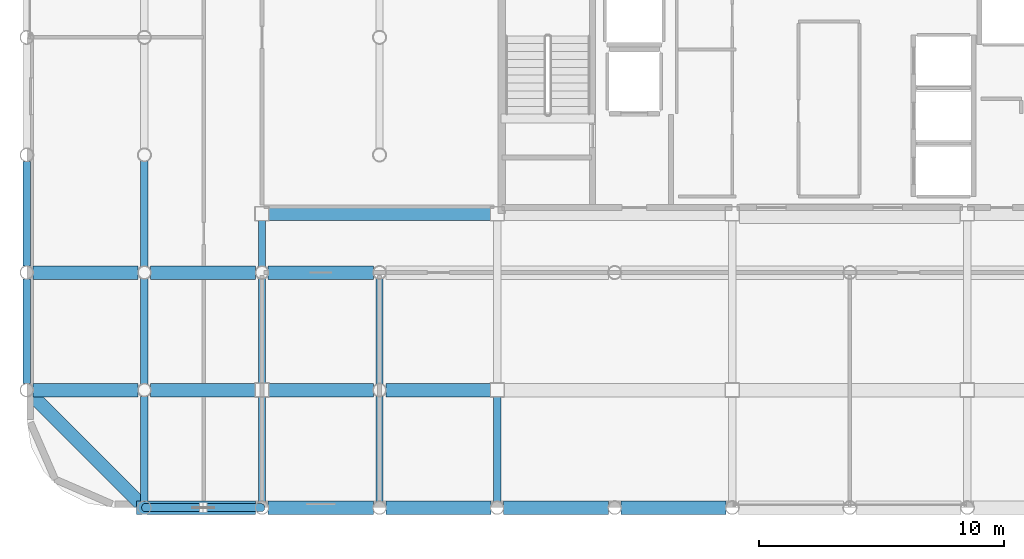
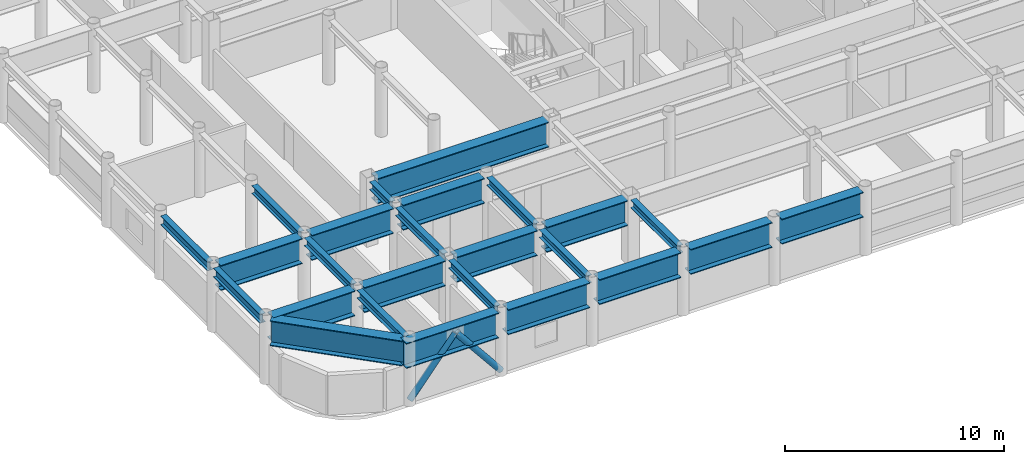
# One storey, part 3 of 21: 25 beams, 2 members.
"""IFC4 building model written with IfcOpenShell, lengths in metres."""

from ifc_helpers import new_model, si_unit, direction, frame, origin, origin_2d, place, context, subcontext, project, spatial, hollow_circle, i_section, extrude, material, material_profile, profile_set, type_object, element, save


model = new_model("IFC4")

# Units and contexts
model_context = context("Model", 3, precision=1e-05, world=origin(), true_north=direction((0.0, 1.0)))
body_context = subcontext(model_context, "Body", "Model", "MODEL_VIEW")
ifc_project = project(units=[si_unit("LENGTHUNIT", "METRE"), si_unit("AREAUNIT", "SQUARE_METRE"), si_unit("VOLUMEUNIT", "CUBIC_METRE"), si_unit("PLANEANGLEUNIT", "RADIAN"), si_unit("MASSUNIT", "GRAM", prefix="KILO")], contexts=[model_context])

# Site, building, storey
site_placement = place(None, origin())
site = spatial("IfcSite", under=ifc_project, at=site_placement, CompositionType="ELEMENT")
building_placement = place(site_placement, origin())
building = spatial("IfcBuilding", under=site, at=building_placement, Name="Kallvorn Hotel Tower", CompositionType="ELEMENT")
storey_placement = place(building_placement, frame((0.0, 0.0, 272.35009765625)))
storey = spatial("IfcBuildingStorey", under=building, at=storey_placement, Name="L68", CompositionType="ELEMENT", Elevation=272.35009765625)

# Beams
ifc_material_1 = material(Name="Structural steel S355JR", Category="steel")
ifc_material_profile_1 = material_profile(ifc_material_1, i_section(OverallWidth=0.300048828125, OverallDepth=0.43994140625, WebThickness=0.011474609375, FlangeThickness=0.02099609375, at=origin_2d()), Name="HE 450 A")
ifc_profile_set_1 = profile_set([ifc_material_profile_1], Name="Structural steel S355JR")
beam_type_1 = type_object("IfcBeamType", Name="BM_HE450A", PredefinedType="BEAM", material=ifc_profile_set_1)
for number, where, z_axis, x_axis, name in (
    (1, (-28.800048828125, -18.945556640625, 3.3798828125), (0.0, 1.0, 0.0), (-1.0, 0.0, 0.0), "L69 Primary Y-Girder 73"),
    (2, (-28.800048828125, -14.1455078125, 3.3798828125), (0.0, 1.0, 0.0), (-1.0, 0.0, 0.0), "L69 Primary Y-Girder 74"),
    (3, (-28.800048828125, -9.345458984375, 3.3798828125), (0.0, 1.0, 0.0), (-1.0, 0.0, 0.0), "L69 Primary Y-Girder 75"),
):
    element("IfcBeam", number, at=place(storey_placement, frame(where, z_axis=z_axis, x_axis=x_axis)), inside=storey, type_object=beam_type_1, Name=name, PredefinedType="BEAM", context=body_context, shape_type="SweptSolid", body=[
        extrude(i_section(OverallWidth=0.300048828125, OverallDepth=0.43994140625, WebThickness=0.011474609375, FlangeThickness=0.02099609375, at=origin_2d()), origin(), (0.0, 0.0, 1.0), 4.291015625),
    ])
for number, where, z_axis, x_axis, name in (
    (4, (-24.0, -18.945556640625, 3.3798828125), (0.0, 1.0, 0.0), (-1.0, 0.0, 0.0), "L69 Primary Y-Girder 82"),
    (5, (-24.0, -14.125, 3.3798828125), (0.0, 1.0, 0.0), (-1.0, 0.0, 0.0), "L69 Primary Y-Girder 83"),
):
    element("IfcBeam", number, at=place(storey_placement, frame(where, z_axis=z_axis, x_axis=x_axis)), inside=storey, type_object=beam_type_1, Name=name, PredefinedType="BEAM", context=body_context, shape_type="SweptSolid", body=[
        extrude(i_section(OverallWidth=0.300048828125, OverallDepth=0.43994140625, WebThickness=0.011474609375, FlangeThickness=0.02099609375, at=origin_2d()), origin(), (0.0, 0.0, 1.0), 4.2705078125),
    ])
beam_1_placement = place(storey_placement, frame((-24.0, -9.345458984375, 3.3798828125), z_axis=(0.0, 1.0, 0.0), x_axis=(-1.0, 0.0, 0.0)))
element("IfcBeam", 6, at=beam_1_placement, inside=storey, type_object=beam_type_1, Name="L69 Primary Y-Girder 84", PredefinedType="BEAM", context=body_context, shape_type="SweptSolid", body=[
    extrude(i_section(OverallWidth=0.300048828125, OverallDepth=0.43994140625, WebThickness=0.011474609375, FlangeThickness=0.02099609375, at=origin_2d()), origin(), (0.0, 0.0, 1.0), 1.870361328125),
])
for number, where, z_axis, x_axis, name in (
    (7, (-19.199951171875, -18.945556640625, 3.3798828125), (0.0, 1.0, 0.0), (-1.0, 0.0, 0.0), "L69 Primary Y-Girder 89"),
    (8, (-19.199951171875, -14.1455078125, 3.3798828125), (0.0, 1.0, 0.0), (-1.0, 0.0, 0.0), "L69 Primary Y-Girder 90"),
):
    element("IfcBeam", number, at=place(storey_placement, frame(where, z_axis=z_axis, x_axis=x_axis)), inside=storey, type_object=beam_type_1, Name=name, PredefinedType="BEAM", context=body_context, shape_type="SweptSolid", body=[
        extrude(i_section(OverallWidth=0.300048828125, OverallDepth=0.43994140625, WebThickness=0.011474609375, FlangeThickness=0.02099609375, at=origin_2d()), origin(), (0.0, 0.0, 1.0), 4.291015625),
    ])
beam_2_placement = place(storey_placement, frame((-14.39990234375, -18.945556640625, 3.3798828125), z_axis=(0.0, 1.0, 0.0), x_axis=(-1.0, 0.0, 0.0)))
element("IfcBeam", 9, at=beam_2_placement, inside=storey, type_object=beam_type_1, Name="L69 Primary Y-Girder 98", PredefinedType="BEAM", context=body_context, shape_type="SweptSolid", body=[
    extrude(i_section(OverallWidth=0.300048828125, OverallDepth=0.43994140625, WebThickness=0.011474609375, FlangeThickness=0.02099609375, at=origin_2d()), origin(), (0.0, 0.0, 1.0), 4.2705078125),
])
ifc_material_2 = material(Name="Structural steel S355JR", Category="steel")
ifc_material_profile_2 = material_profile(ifc_material_2, i_section(OverallWidth=0.300048828125, OverallDepth=0.5, WebThickness=0.014404296875, FlangeThickness=0.028076171875, at=origin_2d()), Name="HE 500 B")
ifc_profile_set_2 = profile_set([ifc_material_profile_2], Name="Structural steel S355JR")
beam_type_2 = type_object("IfcBeamType", Name="BM_HE500B", PredefinedType="SPANDREL", material=ifc_profile_set_2)
beam_3_placement = place(storey_placement, frame((-33.60009765625, -14.130615234375, 3.349853515625), z_axis=(0.0, 1.0, 0.0), x_axis=(-1.0, 0.0, 0.0)))
element("IfcBeam", 10, at=beam_3_placement, inside=storey, type_object=beam_type_2, Name="L69 Perimeter Spandrel 174", PredefinedType="SPANDREL", context=body_context, shape_type="SweptSolid", body=[
    extrude(i_section(OverallWidth=0.300048828125, OverallDepth=0.5, WebThickness=0.014404296875, FlangeThickness=0.028076171875, at=origin_2d()), origin(), (0.0, 0.0, 1.0), 4.26123046875),
])
beam_4_placement = place(storey_placement, frame((-33.60009765625, -9.33056640625, 3.349853515625), z_axis=(0.0, 1.0, 0.0), x_axis=(-1.0, 0.0, 0.0)))
element("IfcBeam", 11, at=beam_4_placement, inside=storey, type_object=beam_type_2, Name="L69 Perimeter Spandrel 175", PredefinedType="SPANDREL", context=body_context, shape_type="SweptSolid", body=[
    extrude(i_section(OverallWidth=0.300048828125, OverallDepth=0.5, WebThickness=0.014404296875, FlangeThickness=0.028076171875, at=origin_2d()), origin(), (0.0, 0.0, 1.0), 4.260986328125),
])
ifc_material_3 = material(Name="Structural steel S355JR", Category="steel")
ifc_material_profile_3 = material_profile(ifc_material_3, i_section(OverallWidth=0.550048828125, OverallDepth=1.39990234375, WebThickness=0.02490234375, FlangeThickness=0.044921875, at=origin_2d()), Name="PG 1400x550x25x45")
ifc_profile_set_3 = profile_set([ifc_material_profile_3], Name="Structural steel S355JR")
beam_type_3 = type_object("IfcBeamType", Name="BM_PG_1400", PredefinedType="BEAM", material=ifc_profile_set_3)
beam_5_placement = place(storey_placement, frame((-29.1201171875, -19.199951171875, 2.89990234375), z_axis=(1.0, 0.0, 0.0), x_axis=(0.0, 1.0, 0.0)))
element("IfcBeam", 12, at=beam_5_placement, inside=storey, type_object=beam_type_3, Name="L69 Primary X-Girder 01", PredefinedType="BEAM", context=body_context, shape_type="SweptSolid", body=[
    extrude(i_section(OverallWidth=0.550048828125, OverallDepth=1.39990234375, WebThickness=0.02490234375, FlangeThickness=0.044921875, at=origin_2d()), origin(), (0.0, 0.0, 1.0), 4.86572265625),
])
for number, where, z_axis, x_axis, name in (
    (13, (-23.74560546875, -19.199951171875, 2.89990234375), (1.0, 0.0, 0.0), (0.0, 1.0, 0.0), "L69 Primary X-Girder 02"),
    (14, (-18.945556640625, -19.199951171875, 2.89990234375), (1.0, 0.0, 0.0), (0.0, 1.0, 0.0), "L69 Primary X-Girder 03"),
    (15, (-14.1455078125, -19.199951171875, 2.89990234375), (1.0, 0.0, 0.0), (0.0, 1.0, 0.0), "L69 Primary X-Girder 04"),
    (16, (-9.345458984375, -19.199951171875, 2.89990234375), (1.0, 0.0, 0.0), (0.0, 1.0, 0.0), "L69 Primary X-Girder 05"),
    (17, (-33.345458984375, -14.39990234375, 2.89990234375), (1.0, 0.0, 0.0), (0.0, 1.0, 0.0), "L69 Primary X-Girder 13"),
):
    element("IfcBeam", number, at=place(storey_placement, frame(where, z_axis=z_axis, x_axis=x_axis)), inside=storey, type_object=beam_type_3, Name=name, PredefinedType="BEAM", context=body_context, shape_type="SweptSolid", body=[
        extrude(i_section(OverallWidth=0.550048828125, OverallDepth=1.39990234375, WebThickness=0.02490234375, FlangeThickness=0.044921875, at=origin_2d()), origin(), (0.0, 0.0, 1.0), 4.291015625),
    ])
for number, where, z_axis, x_axis, name in (
    (18, (-28.54541015625, -14.39990234375, 2.89990234375), (1.0, 0.0, 0.0), (0.0, 1.0, 0.0), "L69 Primary X-Girder 14"),
    (19, (-23.72509765625, -14.39990234375, 2.89990234375), (1.0, 0.0, 0.0), (0.0, 1.0, 0.0), "L69 Primary X-Girder 15"),
    (20, (-18.945556640625, -14.39990234375, 2.89990234375), (1.0, 0.0, 0.0), (0.0, 1.0, 0.0), "L69 Primary X-Girder 16"),
):
    element("IfcBeam", number, at=place(storey_placement, frame(where, z_axis=z_axis, x_axis=x_axis)), inside=storey, type_object=beam_type_3, Name=name, PredefinedType="BEAM", context=body_context, shape_type="SweptSolid", body=[
        extrude(i_section(OverallWidth=0.550048828125, OverallDepth=1.39990234375, WebThickness=0.02490234375, FlangeThickness=0.044921875, at=origin_2d()), origin(), (0.0, 0.0, 1.0), 4.2705078125),
    ])
for number, where, z_axis, x_axis, name in (
    (21, (-33.345458984375, -9.60009765625, 2.89990234375), (1.0, 0.0, 0.0), (0.0, 1.0, 0.0), "L69 Primary X-Girder 23"),
    (22, (-28.54541015625, -9.60009765625, 2.89990234375), (1.0, 0.0, 0.0), (0.0, 1.0, 0.0), "L69 Primary X-Girder 24"),
    (23, (-23.74560546875, -9.60009765625, 2.89990234375), (1.0, 0.0, 0.0), (0.0, 1.0, 0.0), "L69 Primary X-Girder 25"),
):
    element("IfcBeam", number, at=place(storey_placement, frame(where, z_axis=z_axis, x_axis=x_axis)), inside=storey, type_object=beam_type_3, Name=name, PredefinedType="BEAM", context=body_context, shape_type="SweptSolid", body=[
        extrude(i_section(OverallWidth=0.550048828125, OverallDepth=1.39990234375, WebThickness=0.02490234375, FlangeThickness=0.044921875, at=origin_2d()), origin(), (0.0, 0.0, 1.0), 4.291015625),
    ])
beam_6_placement = place(storey_placement, frame((-23.72509765625, -7.199951171875, 2.89990234375), z_axis=(1.0, 0.0, 0.0), x_axis=(0.0, 1.0, 0.0)))
element("IfcBeam", 24, at=beam_6_placement, inside=storey, type_object=beam_type_3, Name="L69 Primary X-Girder 32", PredefinedType="BEAM", context=body_context, shape_type="SweptSolid", body=[
    extrude(i_section(OverallWidth=0.550048828125, OverallDepth=1.39990234375, WebThickness=0.02490234375, FlangeThickness=0.044921875, at=origin_2d()), origin(), (0.0, 0.0, 1.0), 9.050048828125),
])
beam_7_placement = place(storey_placement, frame((-33.409423828125, -14.590576171875, 2.89990234375), z_axis=(0.707106781187, -0.707106781187, 0.0), x_axis=(0.707106781187, 0.707106781187, 0.0)))
element("IfcBeam", 25, at=beam_7_placement, inside=storey, type_object=beam_type_3, Name="L69 Rounded Corner Tie Beam 189", PredefinedType="BEAM", context=body_context, shape_type="SweptSolid", body=[
    extrude(i_section(OverallWidth=0.550048828125, OverallDepth=1.39990234375, WebThickness=0.02490234375, FlangeThickness=0.044921875, at=origin_2d()), origin(), (0.0, 0.0, 1.0), 6.249267578125),
])

# Members
ifc_material_4 = material(Name="Structural steel S355J2H", Category="steel")
ifc_material_profile_4 = material_profile(ifc_material_4, hollow_circle(Radius=0.161865234375, WallThickness=0.012451171875, at=origin_2d()), Name="CHS 323.9x12.5")
ifc_profile_set_4 = profile_set([ifc_material_profile_4], Name="Structural steel S355J2H")
member_type = type_object("IfcMemberType", Name="MBR_EXO_CHS323", PredefinedType="BRACE", material=ifc_profile_set_4)
for number, where, z_axis, x_axis, name in (
    (26, (-28.787353515625, -19.199951171875, 0.1953125), (0.629758671556, 0.0, 0.776790844179), (0.0, 1.0, 0.0), "L68 Exoskeleton K-Brace S1A"),
    (27, (-24.0126953125, -19.199951171875, 0.1953125), (-0.629758671556, 0.0, 0.776790844179), (0.0, -1.0, 0.0), "L68 Exoskeleton K-Brace S1B"),
):
    element("IfcMember", number, at=place(storey_placement, frame(where, z_axis=z_axis, x_axis=x_axis)), inside=storey, type_object=member_type, Name=name, PredefinedType="BRACE", context=body_context, shape_type="SweptSolid", body=[
        extrude(hollow_circle(Radius=0.161865234375, WallThickness=0.012451171875, at=origin_2d()), origin(), (0.0, 0.0, 1.0), 3.77099609375),
    ])

save(model, "model.ifc")
